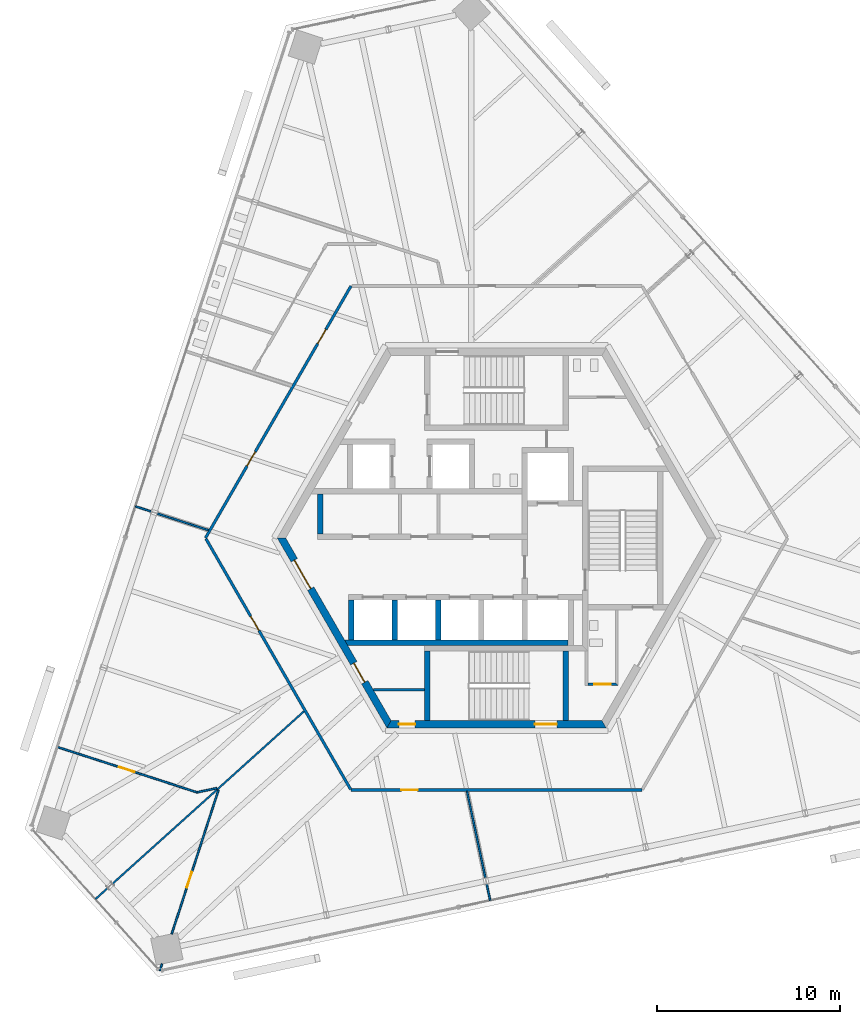
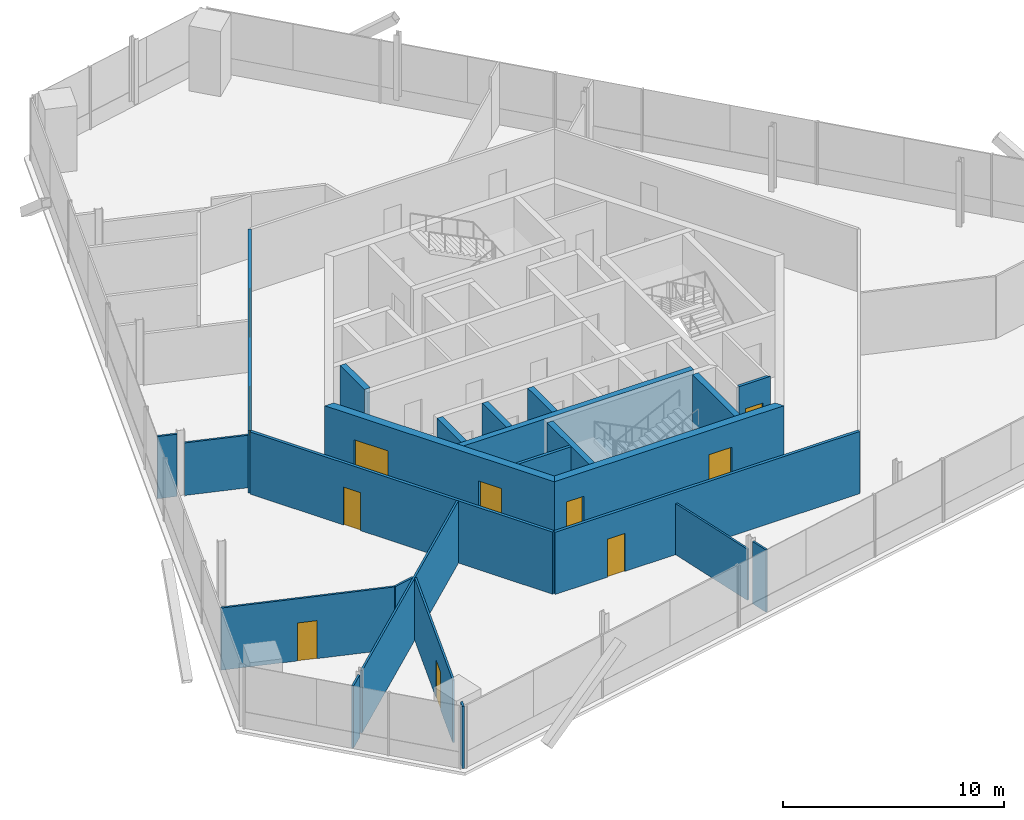
# One storey, part 9 of 14: 24 walls, 11 doors, 11 openings.
"""IFC4 building model written with IfcOpenShell, lengths in metres."""

from ifc_helpers import new_model, si_unit, direction, frame, frame_2d, origin, place, context, subcontext, project, spatial, polyline, rectangle, outline, extrude, source, transform, mapped, material, layer, layer_set, type_object, element, fill, save


model = new_model("IFC4")

# Units and contexts
model_context = context("Model", 3, precision=1e-05, world=origin(), true_north=direction((0.0, 1.0)))
body_context = subcontext(model_context, "Body", "Model", "MODEL_VIEW")
ifc_project = project(units=[si_unit("LENGTHUNIT", "METRE"), si_unit("AREAUNIT", "SQUARE_METRE"), si_unit("VOLUMEUNIT", "CUBIC_METRE"), si_unit("PLANEANGLEUNIT", "RADIAN"), si_unit("MASSUNIT", "GRAM", prefix="KILO")], contexts=[model_context])

# Site, building, storey
site_placement = place(None, origin())
site = spatial("IfcSite", under=ifc_project, at=site_placement, CompositionType="ELEMENT")
building_placement = place(site_placement, origin())
building = spatial("IfcBuilding", under=site, at=building_placement, Name="Triune Harvest Tower", CompositionType="ELEMENT")
storey_placement = place(building_placement, frame((0.0, 0.0, 263.10009765625)))
storey = spatial("IfcBuildingStorey", under=building, at=storey_placement, Name="L69", CompositionType="ELEMENT", Elevation=263.10009765625)

# Wall
ifc_material_1 = material(Name="Gypsum board on steel studs", Category="steel")
ifc_layer_1 = layer(ifc_material_1, 0.10009765625)
ifc_layer_set_1 = layer_set([ifc_layer_1], Name="Gypsum board on steel studs")
wall_type_1 = type_object("IfcWallType", Name="Partition 100 mm", PredefinedType="PARTITIONING", material=ifc_layer_set_1)
wall_1_placement = place(storey_placement, frame((-1.617431640625, -13.86083984375, 0.0), z_axis=(0.0, 0.0, 1.0), x_axis=(0.207896665906, -0.978150794257, 0.0)))
element("IfcWall", 1, at=wall_1_placement, inside=storey, type_object=wall_type_1, Name="Partition L69 001", PredefinedType="PARTITIONING", context=body_context, shape_type="SweptSolid", body=[
    extrude(rectangle(XDim=4.852294921875, YDim=0.10009765625, at=frame_2d((2.42626953125, 0.0))), origin(), (0.0, 0.0, 1.0), 2.82763671875),
])

# Wall, opening, door
wall_2_placement = place(storey_placement, frame((-24.03955078125, -11.433349609375, 0.0), z_axis=(0.0, 0.0, 1.0), x_axis=(0.951056592296, -0.309016760467, 0.0)))
wall_2 = element("IfcWall", 2, at=wall_2_placement, inside=storey, type_object=wall_type_1, Name="Partition L69 006", PredefinedType="PARTITIONING", context=body_context, shape_type="SweptSolid", body=[
    extrude(rectangle(XDim=8.04443359375, YDim=0.10009765625, at=frame_2d((4.022216796875, 0.0))), origin(), (0.0, 0.0, 1.0), 3.43994140625),
])
opening_1_placement = place(wall_2_placement, frame((3.550048828125, 0.0, 0.0)))
opening_1 = element("IfcOpeningElement", 3, at=opening_1_placement, cuts=wall_2, Name="Opening L69-010", PredefinedType="OPENING", context=body_context, shape_type="SweptSolid", body=[
    extrude(rectangle(XDim=0.89990234375, YDim=2.10009765625, at=frame_2d((0.449951171875, 1.050048828125))), frame((0.0, 0.06005859375, 0.0), z_axis=(0.0, -1.0, 0.0), x_axis=(1.0, 0.0, 0.0)), (0.0, 0.0, 1.0), 0.1201171875),
])
ifc_material_2 = material(Name="Timber and steel door set", Category="steel")
door_type_1 = type_object("IfcDoorType", Name="Single leaf door right hand 900 x 2100", OperationType="SINGLE_SWING_RIGHT", PredefinedType="DOOR", material=ifc_material_2)
door_1_placement = place(opening_1_placement, origin())
door_1 = element("IfcDoor", 4, at=door_1_placement, inside=storey, type_object=door_type_1, Name="Door L69-010 Reception 69.10", OperationType="SINGLE_SWING_RIGHT", OverallHeight=2.10009765625, OverallWidth=0.89990234375, PredefinedType="DOOR", context=body_context, shape_type="SweptSolid", body=[
    extrude(rectangle(XDim=0.89990234375, YDim=2.10009765625, at=frame_2d((0.449951171875, 1.050048828125))), frame((0.0, 0.02490234375, 0.0), z_axis=(0.0, -1.0, 0.0), x_axis=(1.0, 0.0, 0.0)), (0.0, 0.0, 1.0), 0.050048828125),
])
fill(opening_1, door_1)

# Wall
wall_3_placement = place(storey_placement, frame((-16.37890625, -13.917724609375, 0.0), z_axis=(0.0, 0.0, 1.0), x_axis=(0.978150346261, 0.207898773709, 0.0)))
element("IfcWall", 5, at=wall_3_placement, inside=storey, type_object=wall_type_1, Name="Partition L69 020", PredefinedType="PARTITIONING", context=body_context, shape_type="SweptSolid", body=[
    extrude(rectangle(XDim=1.094482421875, YDim=0.10009765625, at=frame_2d((0.54736328125, 0.0))), origin(), (0.0, 0.0, 1.0), 3.43994140625),
])

# Wall, openings, doors
ifc_material_3 = material(Name="Concrete 70 MPa", Category="concrete")
ifc_layer_2 = layer(ifc_material_3, 0.39990234375)
ifc_layer_set_2 = layer_set([ifc_layer_2], Name="Concrete 70 MPa")
wall_type_2 = type_object("IfcWallType", Name="Core wall 400", PredefinedType="SHEAR", material=ifc_layer_set_2)
shared_shape_1 = source(origin(), body_context, "Body", "SweptSolid", [
    extrude(outline(polyline([(-0.115478515625, -0.199951171875), (11.884521484375, -0.199951171875), (11.653564453125, 0.199951171875), (0.115478515625, 0.199951171875), (-0.115478515625, -0.199951171875)])), origin(), (0.0, 0.0, 1.0), 3.43994140625),
])
wall_4_placement = place(storey_placement, frame((-11.76904296875, 0.0, 0.0), z_axis=(0.0, 0.0, 1.0), x_axis=(0.499996592174, -0.866027371285, 0.0)))
wall_4 = element("IfcWall", 6, at=wall_4_placement, inside=storey, type_object=wall_type_2, Name="Hexagon 3 wall", PredefinedType="SHEAR", context=body_context, shape_type="MappedRepresentation", body=[
    mapped(shared_shape_1, transform((0.0, 0.0, 0.0), scale=1.0)),
])
opening_2_placement = place(wall_4_placement, frame((1.404541015625, 0.0, 0.0)))
opening_2 = element("IfcOpeningElement", 7, at=opening_2_placement, cuts=wall_4, Name="Opening CD-LS", PredefinedType="OPENING", context=body_context, shape_type="SweptSolid", body=[
    extrude(rectangle(XDim=1.800048828125, YDim=2.10009765625, at=frame_2d((0.89990234375, 1.050048828125))), frame((0.0, 0.2099609375, 0.0), z_axis=(0.0, -1.0, 0.0), x_axis=(1.0, 0.0, 0.0)), (0.0, 0.0, 1.0), 0.419921875),
])
opening_3_placement = place(wall_4_placement, frame((7.91455078125, 0.0, 0.0)))
opening_3 = element("IfcOpeningElement", 8, at=opening_3_placement, cuts=wall_4, Name="Opening CD-SWP", PredefinedType="OPENING", context=body_context, shape_type="SweptSolid", body=[
    extrude(rectangle(XDim=1.199951171875, YDim=2.10009765625, at=frame_2d((0.60009765625, 1.050048828125))), frame((0.0, 0.2099609375, 0.0), z_axis=(0.0, -1.0, 0.0), x_axis=(1.0, 0.0, 0.0)), (0.0, 0.0, 1.0), 0.419921875),
])
ifc_material_4 = material(Name="Steel S235", Category="steel")
door_type_2 = type_object("IfcDoorType", Name="Lobby door 1800 FD120", OperationType="DOUBLE_DOOR_DOUBLE_SWING", PredefinedType="DOOR", material=ifc_material_4)
door_2_placement = place(opening_2_placement, frame((1.800048828125, 0.0, 0.0), z_axis=(0.0, 0.0, 1.0), x_axis=(-1.0, 0.0, 0.0)))
door_2 = element("IfcDoor", 9, at=door_2_placement, inside=storey, type_object=door_type_2, Name="Door CD-LS", OperationType="DOUBLE_DOOR_DOUBLE_SWING", OverallHeight=2.10009765625, OverallWidth=1.800048828125, PredefinedType="DOOR", context=body_context, shape_type="SweptSolid", body=[
    extrude(rectangle(XDim=1.800048828125, YDim=2.10009765625, at=frame_2d((0.89990234375, 1.050048828125))), frame((0.0, 0.02490234375, 0.0), z_axis=(0.0, -1.0, 0.0), x_axis=(1.0, 0.0, 0.0)), (0.0, 0.0, 1.0), 0.050048828125),
])
fill(opening_2, door_2)
ifc_material_5 = material(Name="Steel S235", Category="steel")
door_type_3 = type_object("IfcDoorType", Name="Service door 1200 FD120", OperationType="SINGLE_SWING_LEFT", PredefinedType="DOOR", material=ifc_material_5)
door_3_placement = place(opening_3_placement, frame((1.199951171875, 0.0, 0.0), z_axis=(0.0, 0.0, 1.0), x_axis=(-1.0, 0.0, 0.0)))
door_3 = element("IfcDoor", 10, at=door_3_placement, inside=storey, type_object=door_type_3, Name="Door CD-SWP", OperationType="SINGLE_SWING_RIGHT", OverallHeight=2.10009765625, OverallWidth=1.199951171875, PredefinedType="DOOR", context=body_context, shape_type="SweptSolid", body=[
    extrude(rectangle(XDim=1.199951171875, YDim=2.10009765625, at=frame_2d((0.60009765625, 1.050048828125))), frame((0.0, 0.02490234375, 0.0), z_axis=(0.0, -1.0, 0.0), x_axis=(1.0, 0.0, 0.0)), (0.0, 0.0, 1.0), 0.050048828125),
])
fill(opening_3, door_3)

wall_5_placement = place(storey_placement, frame((-5.884521484375, -10.1923828125, 0.0), z_axis=(0.0, 0.0, 1.0), x_axis=(1.0, 0.0, 0.0)))
wall_5 = element("IfcWall", 11, at=wall_5_placement, inside=storey, type_object=wall_type_2, Name="Hexagon 4 wall", PredefinedType="SHEAR", context=body_context, shape_type="MappedRepresentation", body=[
    mapped(shared_shape_1, transform((0.0, 0.0, 0.0), scale=1.0)),
])
opening_4_placement = place(wall_5_placement, frame((7.984619140625, 0.0, 0.0)))
opening_4 = element("IfcOpeningElement", 12, at=opening_4_placement, cuts=wall_5, Name="Opening CD-S2P", PredefinedType="OPENING", context=body_context, shape_type="SweptSolid", body=[
    extrude(rectangle(XDim=1.199951171875, YDim=2.10009765625, at=frame_2d((0.60009765625, 1.050048828125))), frame((0.0, 0.2099609375, 0.0), z_axis=(0.0, -1.0, 0.0), x_axis=(1.0, 0.0, 0.0)), (0.0, 0.0, 1.0), 0.419921875),
])
opening_5_placement = place(wall_5_placement, frame((0.534423828125, 0.0, 0.0)))
opening_5 = element("IfcOpeningElement", 13, at=opening_5_placement, cuts=wall_5, Name="Opening CD-SWS", PredefinedType="OPENING", context=body_context, shape_type="SweptSolid", body=[
    extrude(rectangle(XDim=0.89990234375, YDim=2.10009765625, at=frame_2d((0.449951171875, 1.050048828125))), frame((0.0, 0.2099609375, 0.0), z_axis=(0.0, -1.0, 0.0), x_axis=(1.0, 0.0, 0.0)), (0.0, 0.0, 1.0), 0.419921875),
])
ifc_material_6 = material(Name="Steel S235", Category="steel")
door_type_4 = type_object("IfcDoorType", Name="Riser door 900 FD120", OperationType="SINGLE_SWING_LEFT", PredefinedType="DOOR", material=ifc_material_6)
door_4_placement = place(opening_5_placement, frame((0.89990234375, 0.0, 0.0), z_axis=(0.0, 0.0, 1.0), x_axis=(-1.0, 0.0, 0.0)))
door_4 = element("IfcDoor", 14, at=door_4_placement, inside=storey, type_object=door_type_4, Name="Door CD-SWS", OperationType="SINGLE_SWING_RIGHT", OverallHeight=2.10009765625, OverallWidth=0.89990234375, PredefinedType="DOOR", context=body_context, shape_type="SweptSolid", body=[
    extrude(rectangle(XDim=0.89990234375, YDim=2.10009765625, at=frame_2d((0.449951171875, 1.050048828125))), frame((0.0, 0.02490234375, 0.0), z_axis=(0.0, -1.0, 0.0), x_axis=(1.0, 0.0, 0.0)), (0.0, 0.0, 1.0), 0.050048828125),
])
fill(opening_5, door_4)
ifc_material_7 = material(Name="Steel S235", Category="steel")
door_type_5 = type_object("IfcDoorType", Name="Stair door 1200 FD120", OperationType="SINGLE_SWING_LEFT", PredefinedType="DOOR", material=ifc_material_7)
door_5_placement = place(opening_4_placement, frame((1.199951171875, 0.0, 0.0), z_axis=(0.0, 0.0, 1.0), x_axis=(-1.0, 0.0, 0.0)))
door_5 = element("IfcDoor", 15, at=door_5_placement, inside=storey, type_object=door_type_5, Name="Door CD-S2P", OperationType="SINGLE_SWING_RIGHT", OverallHeight=2.10009765625, OverallWidth=1.199951171875, PredefinedType="DOOR", context=body_context, shape_type="SweptSolid", body=[
    extrude(rectangle(XDim=1.199951171875, YDim=2.10009765625, at=frame_2d((0.60009765625, 1.050048828125))), frame((0.0, 0.02490234375, 0.0), z_axis=(0.0, -1.0, 0.0), x_axis=(1.0, 0.0, 0.0)), (0.0, 0.0, 1.0), 0.050048828125),
])
fill(opening_4, door_5)

# Walls
ifc_material_8 = material(Name="Concrete 70 MPa", Category="concrete")
ifc_layer_3 = layer(ifc_material_8, 0.300048828125)
ifc_layer_set_3 = layer_set([ifc_layer_3], Name="Concrete 70 MPa")
wall_type_3 = type_object("IfcWallType", Name="Core wall 300", PredefinedType="SHEAR", material=ifc_layer_set_3)
shared_shape_2 = source(origin(), body_context, "Body", "SweptSolid", [
    extrude(outline(polyline([(12.0, -0.14990234375), (-0.039794921875, -0.14990234375), (-0.212890625, 0.14990234375), (12.0, 0.14990234375), (12.0, -0.14990234375)])), origin(), (0.0, 0.0, 1.0), 3.43994140625),
])
wall_6_placement = place(storey_placement, frame((-8.10009765625, -5.739990234375, 0.0), z_axis=(0.0, 0.0, 1.0), x_axis=(1.0, 0.0, 0.0)))
element("IfcWall", 16, at=wall_6_placement, inside=storey, type_object=wall_type_3, Name="South back wall", PredefinedType="SHEAR", context=body_context, shape_type="MappedRepresentation", body=[
    mapped(shared_shape_2, transform((0.0, 0.0, 0.0), scale=1.0)),
])
shared_shape_3 = source(origin(), body_context, "Body", "SweptSolid", [
    extrude(rectangle(XDim=2.2001953125, YDim=0.300048828125, at=frame_2d((1.10009765625, 0.0))), origin(), (0.0, 0.0, 1.0), 3.43994140625),
])
for number, where, z_axis, x_axis, name in (
    (17, (-7.949951171875, -5.590087890625, 0.0), (0.0, 0.0, 1.0), (0.0, 1.0, 0.0), "South end west wall"),
    (18, (-5.574951171875, -5.590087890625, 0.0), (0.0, 0.0, 1.0), (0.0, 1.0, 0.0), "South cross 1 wall"),
    (19, (-3.199951171875, -5.590087890625, 0.0), (0.0, 0.0, 1.0), (0.0, 1.0, 0.0), "South cross 2 wall"),
):
    element("IfcWall", number, at=place(storey_placement, frame(where, z_axis=z_axis, x_axis=x_axis)), inside=storey, type_object=wall_type_3, Name=name, PredefinedType="SHEAR", context=body_context, shape_type="MappedRepresentation", body=[
        mapped(shared_shape_3, transform((0.0, 0.0, 0.0), scale=1.0)),
    ])
shared_shape_4 = source(origin(), body_context, "Body", "SweptSolid", [
    extrude(rectangle(XDim=2.199951171875, YDim=0.300048828125, at=frame_2d((1.10009765625, 0.0))), origin(), (0.0, 0.0, 1.0), 3.43994140625),
])
wall_7_placement = place(storey_placement, frame((-9.64990234375, 0.2099609375, 0.0), z_axis=(0.0, 0.0, 1.0), x_axis=(0.0, 1.0, 0.0)))
element("IfcWall", 20, at=wall_7_placement, inside=storey, type_object=wall_type_3, Name="North end west wall", PredefinedType="SHEAR", context=body_context, shape_type="MappedRepresentation", body=[
    mapped(shared_shape_4, transform((0.0, 0.0, 0.0), scale=1.0)),
])
shared_shape_5 = source(origin(), body_context, "Body", "SweptSolid", [
    extrude(outline(polyline([(3.800048828125, -0.14990234375), (-0.00439453125, -0.14990234375), (-0.00439453125, 0.14990234375), (3.800048828125, 0.14990234375), (3.800048828125, -0.14990234375)])), origin(), (0.0, 0.0, 1.0), 3.43994140625),
])
for number, where, z_axis, x_axis, name in (
    (21, (-3.800048828125, -9.989990234375, 0.0), (0.0, 0.0, 1.0), (0.0, 1.0, 0.0), "Stair s west wall"),
    (22, (3.800048828125, -9.989990234375, 0.0), (0.0, 0.0, 1.0), (0.0, 1.0, 0.0), "Stair s east wall"),
):
    element("IfcWall", number, at=place(storey_placement, frame(where, z_axis=z_axis, x_axis=x_axis)), inside=storey, type_object=wall_type_3, Name=name, PredefinedType="SHEAR", context=body_context, shape_type="MappedRepresentation", body=[
        mapped(shared_shape_5, transform((0.0, 0.0, 0.0), scale=1.0)),
    ])

# Wall, opening, door
ifc_material_9 = material(Name="Concrete masonry unit", Category="masonry")
ifc_layer_4 = layer(ifc_material_9, 0.14990234375)
ifc_layer_set_4 = layer_set([ifc_layer_4], Name="Concrete masonry unit")
wall_type_4 = type_object("IfcWallType", Name="Block partition 150 unrated", PredefinedType="PARTITIONING", material=ifc_layer_set_4)
shared_shape_6 = source(origin(), body_context, "Body", "SweptSolid", [
    extrude(outline(polyline([(0.0, -0.074951171875), (1.64990234375, -0.074951171875), (1.5, 0.074951171875), (0.0, 0.074951171875), (0.0, -0.074951171875)])), origin(), (0.0, 0.0, 1.0), 3.43994140625),
])
wall_8_placement = place(storey_placement, frame((5.0, -8.0, 0.0), z_axis=(0.0, 0.0, 1.0), x_axis=(1.0, 0.0, 0.0)))
wall_8 = element("IfcWall", 23, at=wall_8_placement, inside=storey, type_object=wall_type_4, Name="Wc acc south wall", PredefinedType="PARTITIONING", context=body_context, shape_type="MappedRepresentation", body=[
    mapped(shared_shape_6, transform((0.0, 0.0, 0.0), scale=1.0)),
])
opening_6_placement = place(wall_8_placement, frame((0.33740234375, 0.0, 0.0)))
opening_6 = element("IfcOpeningElement", 24, at=opening_6_placement, cuts=wall_8, Name="Opening CD-WA", PredefinedType="OPENING", context=body_context, shape_type="SweptSolid", body=[
    extrude(rectangle(XDim=0.89990234375, YDim=2.10009765625, at=frame_2d((0.449951171875, 1.050048828125))), frame((0.0, 0.0849609375, 0.0), z_axis=(0.0, -1.0, 0.0), x_axis=(1.0, 0.0, 0.0)), (0.0, 0.0, 1.0), 0.169921875),
])
ifc_material_10 = material(Name="Timber C24", Category="wood")
door_type_6 = type_object("IfcDoorType", Name="WC door 900", OperationType="SINGLE_SWING_LEFT", PredefinedType="DOOR", material=ifc_material_10)
door_6_placement = place(opening_6_placement, origin())
door_6 = element("IfcDoor", 25, at=door_6_placement, inside=storey, type_object=door_type_6, Name="Door CD-WA", OperationType="SINGLE_SWING_LEFT", OverallHeight=2.10009765625, OverallWidth=0.89990234375, PredefinedType="DOOR", context=body_context, shape_type="SweptSolid", body=[
    extrude(rectangle(XDim=0.89990234375, YDim=2.10009765625, at=frame_2d((0.449951171875, 1.050048828125))), frame((0.0, 0.02490234375, 0.0), z_axis=(0.0, -1.0, 0.0), x_axis=(1.0, 0.0, 0.0)), (0.0, 0.0, 1.0), 0.050048828125),
])
fill(opening_6, door_6)

# Walls
ifc_material_11 = material(Name="Concrete masonry unit", Category="masonry")
ifc_layer_5 = layer(ifc_material_11, 0.14990234375)
ifc_layer_set_5 = layer_set([ifc_layer_5], Name="Concrete masonry unit")
wall_type_5 = type_object("IfcWallType", Name="Block partition 150", PredefinedType="PARTITIONING", material=ifc_layer_set_5)
shared_shape_7 = source(origin(), body_context, "Body", "SweptSolid", [
    extrude(rectangle(XDim=2.777099609375, YDim=0.14990234375, at=frame_2d((1.388671875, 0.0))), origin(), (0.0, 0.0, 1.0), 3.43994140625),
])
wall_9_placement = place(storey_placement, frame((-6.72705078125, -8.300048828125, 0.0), z_axis=(0.0, 0.0, 1.0), x_axis=(1.0, 0.0, 0.0)))
element("IfcWall", 26, at=wall_9_placement, inside=storey, type_object=wall_type_5, Name="Sw part wall", PredefinedType="PARTITIONING", context=body_context, shape_type="MappedRepresentation", body=[
    mapped(shared_shape_7, transform((0.0, 0.0, 0.0), scale=1.0)),
])
shared_shape_8 = source(origin(), body_context, "Body", "SweptSolid", [
    extrude(rectangle(XDim=0.91552734375, YDim=0.10009765625, at=frame_2d((0.457763671875, 0.0))), origin(), (0.0, 0.0, 1.0), 3.43994140625),
])
wall_10_placement = place(storey_placement, frame((-0.537841796875, -18.940185546875, 0.0), z_axis=(0.0, 0.0, 1.0), x_axis=(0.207743933161, -0.978183243689, 0.0)))
element("IfcWall", 27, at=wall_10_placement, inside=storey, type_object=wall_type_1, Name="Partition L69 002", PredefinedType="PARTITIONING", context=body_context, shape_type="MappedRepresentation", body=[
    mapped(shared_shape_8, transform((0.0, 0.0, 0.0), scale=1.0)),
])

# Wall, opening, door
ifc_material_12 = material(Name="Gypsum board on steel studs", Category="steel")
ifc_layer_6 = layer(ifc_material_12, 0.14990234375)
ifc_layer_set_6 = layer_set([ifc_layer_6], Name="Gypsum board on steel studs")
wall_type_6 = type_object("IfcWallType", Name="Fire Partition 150 mm", PredefinedType="PARTITIONING", material=ifc_layer_set_6)
shared_shape_9 = source(origin(), body_context, "Body", "SweptSolid", [
    extrude(rectangle(XDim=15.836181640625, YDim=0.14990234375, at=frame_2d((7.91796875, 0.0))), origin(), (0.0, 0.0, 1.0), 3.43994140625),
])
wall_11_placement = place(storey_placement, frame((-15.90087890625, -0.043212890625, 0.0), z_axis=(0.0, 0.0, 1.0), x_axis=(0.499992468509, -0.866029752049, 0.0)))
wall_11 = element("IfcWall", 28, at=wall_11_placement, inside=storey, type_object=wall_type_6, Name="Partition L69 004", PredefinedType="PARTITIONING", context=body_context, shape_type="MappedRepresentation", body=[
    mapped(shared_shape_9, transform((0.0, 0.0, 0.0), scale=1.0)),
])
opening_7_placement = place(wall_11_placement, frame((4.89990234375, 0.0, 0.0)))
opening_7 = element("IfcOpeningElement", 29, at=opening_7_placement, cuts=wall_11, Name="Opening L69-009", PredefinedType="OPENING", context=body_context, shape_type="SweptSolid", body=[
    extrude(rectangle(XDim=0.89990234375, YDim=2.10009765625, at=frame_2d((0.449951171875, 1.050048828125))), frame((0.0, 0.0849609375, 0.0), z_axis=(0.0, -1.0, 0.0), x_axis=(1.0, 0.0, 0.0)), (0.0, 0.0, 1.0), 0.169921875),
])
ifc_material_13 = material(Name="Timber and steel door set", Category="steel")
door_type_7 = type_object("IfcDoorType", Name="Single leaf door FD30 right hand 900 x 2100", OperationType="SINGLE_SWING_RIGHT", PredefinedType="DOOR", material=ifc_material_13)
door_7_placement = place(opening_7_placement, origin())
door_7 = element("IfcDoor", 30, at=door_7_placement, inside=storey, type_object=door_type_7, Name="Door L69-009 Office 69.09", OperationType="SINGLE_SWING_RIGHT", OverallHeight=2.10009765625, OverallWidth=0.89990234375, PredefinedType="DOOR", context=body_context, shape_type="SweptSolid", body=[
    extrude(rectangle(XDim=0.89990234375, YDim=2.10009765625, at=frame_2d((0.449951171875, 1.050048828125))), frame((0.0, 0.02490234375, 0.0), z_axis=(0.0, -1.0, 0.0), x_axis=(1.0, 0.0, 0.0)), (0.0, 0.0, 1.0), 0.050048828125),
])
fill(opening_7, door_7)

# Wall
shared_shape_10 = source(origin(), body_context, "Body", "SweptSolid", [
    extrude(rectangle(XDim=0.9150390625, YDim=0.10009765625, at=frame_2d((0.45751953125, 0.0))), origin(), (0.0, 0.0, 1.0), 3.43994140625),
])
wall_12_placement = place(storey_placement, frame((-19.76318359375, 1.727783203125, 0.0), z_axis=(0.0, 0.0, 1.0), x_axis=(0.95108307013, -0.308935258124, 0.0)))
element("IfcWall", 31, at=wall_12_placement, inside=storey, type_object=wall_type_1, Name="Partition L69 007", PredefinedType="PARTITIONING", context=body_context, shape_type="MappedRepresentation", body=[
    mapped(shared_shape_10, transform((0.0, 0.0, 0.0), scale=1.0)),
])

# Wall, opening, door
shared_shape_11 = source(origin(), body_context, "Body", "SweptSolid", [
    extrude(rectangle(XDim=15.92578125, YDim=0.14990234375, at=frame_2d((7.962890625, 0.0))), origin(), (0.0, 0.0, 1.0), 3.43994140625),
])
wall_13_placement = place(storey_placement, frame((-7.962890625, -13.792236328125, 0.0), z_axis=(0.0, 0.0, 1.0), x_axis=(1.0, 0.0, 0.0)))
wall_13 = element("IfcWall", 32, at=wall_13_placement, inside=storey, type_object=wall_type_6, Name="Partition L69 017", PredefinedType="PARTITIONING", context=body_context, shape_type="MappedRepresentation", body=[
    mapped(shared_shape_11, transform((0.0, 0.0, 0.0), scale=1.0)),
])
opening_8_placement = place(wall_13_placement, frame((2.75, 0.0, 0.0)))
opening_8 = element("IfcOpeningElement", 33, at=opening_8_placement, cuts=wall_13, Name="Opening L69-012", PredefinedType="OPENING", context=body_context, shape_type="SweptSolid", body=[
    extrude(rectangle(XDim=0.89990234375, YDim=2.10009765625, at=frame_2d((0.449951171875, 1.050048828125))), frame((0.0, 0.0849609375, 0.0), z_axis=(0.0, -1.0, 0.0), x_axis=(1.0, 0.0, 0.0)), (0.0, 0.0, 1.0), 0.169921875),
])
door_8_placement = place(opening_8_placement, origin())
door_8 = element("IfcDoor", 34, at=door_8_placement, inside=storey, type_object=door_type_7, Name="Door L69-012 Pantry 69.12", OperationType="SINGLE_SWING_RIGHT", OverallHeight=2.10009765625, OverallWidth=0.89990234375, PredefinedType="DOOR", context=body_context, shape_type="SweptSolid", body=[
    extrude(rectangle(XDim=0.89990234375, YDim=2.10009765625, at=frame_2d((0.449951171875, 1.050048828125))), frame((0.0, 0.02490234375, 0.0), z_axis=(0.0, -1.0, 0.0), x_axis=(1.0, 0.0, 0.0)), (0.0, 0.0, 1.0), 0.050048828125),
])
fill(opening_8, door_8)

# Walls
shared_shape_12 = source(origin(), body_context, "Body", "SweptSolid", [
    extrude(rectangle(XDim=0.915283203125, YDim=0.10009765625, at=frame_2d((0.45751953125, 0.0))), origin(), (0.0, 0.0, 1.0), 3.43994140625),
])
wall_14_placement = place(storey_placement, frame((-21.950927734375, -19.76416015625, 0.0), z_axis=(0.0, 0.0, 1.0), x_axis=(0.743081911728, 0.669200472551, 0.0)))
element("IfcWall", 35, at=wall_14_placement, inside=storey, type_object=wall_type_1, Name="Partition L69 022", PredefinedType="PARTITIONING", context=body_context, shape_type="MappedRepresentation", body=[
    mapped(shared_shape_12, transform((0.0, 0.0, 0.0), scale=1.0)),
])
shared_shape_13 = source(origin(), body_context, "Body", "SweptSolid", [
    extrude(rectangle(XDim=14.111328125, YDim=0.10009765625, at=frame_2d((7.0556640625, 0.0))), origin(), (0.0, 0.0, 1.0), 3.43994140625),
])
wall_15_placement = place(storey_placement, frame((-21.017578125, -18.923583984375, 0.0), z_axis=(0.0, 0.0, 1.0), x_axis=(0.743169393242, 0.669103320085, 0.0)))
element("IfcWall", 36, at=wall_15_placement, inside=storey, type_object=wall_type_1, Name="Partition L69 023", PredefinedType="PARTITIONING", context=body_context, shape_type="MappedRepresentation", body=[
    mapped(shared_shape_13, transform((0.0, 0.0, 0.0), scale=1.0)),
])

# Wall, openings, doors
shared_shape_14 = source(origin(), body_context, "Body", "SweptSolid", [
    extrude(rectangle(XDim=15.92626953125, YDim=0.14990234375, at=frame_2d((7.963134765625, 0.0))), origin(), (0.0, 0.0, 1.0), 3.43994140625),
])
wall_16_placement = place(storey_placement, frame((-15.92626953125, -0.000244140625, 0.0), z_axis=(0.0, 0.0, 1.0), x_axis=(0.500013496215, 0.866017611601, 0.0)))
wall_16 = element("IfcWall", 37, at=wall_16_placement, inside=storey, type_object=wall_type_6, Name="Partition L69 028", PredefinedType="PARTITIONING", context=body_context, shape_type="MappedRepresentation", body=[
    mapped(shared_shape_14, transform((0.0, 0.0, 0.0), scale=1.0)),
])
opening_9_placement = place(wall_16_placement, frame((12.2763671875, 0.0, 0.0)))
opening_9 = element("IfcOpeningElement", 38, at=opening_9_placement, cuts=wall_16, Name="Opening L69-004", PredefinedType="OPENING", context=body_context, shape_type="SweptSolid", body=[
    extrude(rectangle(XDim=0.89990234375, YDim=2.10009765625, at=frame_2d((0.449951171875, 1.050048828125))), frame((0.0, 0.0849609375, 0.0), z_axis=(0.0, -1.0, 0.0), x_axis=(1.0, 0.0, 0.0)), (0.0, 0.0, 1.0), 0.169921875),
])
opening_10_placement = place(wall_16_placement, frame((4.54541015625, 0.0, 0.0)))
opening_10 = element("IfcOpeningElement", 39, at=opening_10_placement, cuts=wall_16, Name="Opening L69-008", PredefinedType="OPENING", context=body_context, shape_type="SweptSolid", body=[
    extrude(rectangle(XDim=0.89990234375, YDim=2.10009765625, at=frame_2d((0.449951171875, 1.050048828125))), frame((0.0, 0.0849609375, 0.0), z_axis=(0.0, -1.0, 0.0), x_axis=(1.0, 0.0, 0.0)), (0.0, 0.0, 1.0), 0.169921875),
])
ifc_material_14 = material(Name="Timber and steel door set", Category="steel")
door_type_8 = type_object("IfcDoorType", Name="Single leaf door FD30 left hand 900 x 2100", OperationType="SINGLE_SWING_LEFT", PredefinedType="DOOR", material=ifc_material_14)
door_9_placement = place(opening_10_placement, origin())
door_9 = element("IfcDoor", 40, at=door_9_placement, inside=storey, type_object=door_type_8, Name="Door L69-008 Office 69.08", OperationType="SINGLE_SWING_LEFT", OverallHeight=2.10009765625, OverallWidth=0.89990234375, PredefinedType="DOOR", context=body_context, shape_type="SweptSolid", body=[
    extrude(rectangle(XDim=0.89990234375, YDim=2.10009765625, at=frame_2d((0.449951171875, 1.050048828125))), frame((0.0, 0.02490234375, 0.0), z_axis=(0.0, -1.0, 0.0), x_axis=(1.0, 0.0, 0.0)), (0.0, 0.0, 1.0), 0.050048828125),
])
fill(opening_10, door_9)
door_10_placement = place(opening_9_placement, origin())
door_10 = element("IfcDoor", 41, at=door_10_placement, inside=storey, type_object=door_type_7, Name="Door L69-004 WC lobby 69.04", OperationType="SINGLE_SWING_RIGHT", OverallHeight=2.10009765625, OverallWidth=0.89990234375, PredefinedType="DOOR", context=body_context, shape_type="SweptSolid", body=[
    extrude(rectangle(XDim=0.89990234375, YDim=2.10009765625, at=frame_2d((0.449951171875, 1.050048828125))), frame((0.0, 0.02490234375, 0.0), z_axis=(0.0, -1.0, 0.0), x_axis=(1.0, 0.0, 0.0)), (0.0, 0.0, 1.0), 0.050048828125),
])
fill(opening_9, door_10)

# Wall
shared_shape_15 = source(origin(), body_context, "Body", "SweptSolid", [
    extrude(rectangle(XDim=0.399169921875, YDim=0.10009765625, at=frame_2d((0.19970703125, 0.0))), origin(), (0.0, 0.0, 1.0), 3.43994140625),
])
wall_17_placement = place(storey_placement, frame((-18.426513671875, -23.678466796875, 0.0), z_axis=(0.0, 0.0, 1.0), x_axis=(0.308878611909, 0.951101468354, 0.0)))
element("IfcWall", 42, at=wall_17_placement, inside=storey, type_object=wall_type_1, Name="Partition L69 030", PredefinedType="PARTITIONING", context=body_context, shape_type="MappedRepresentation", body=[
    mapped(shared_shape_15, transform((0.0, 0.0, 0.0), scale=1.0)),
])

# Wall, opening, door
shared_shape_16 = source(origin(), body_context, "Body", "SweptSolid", [
    extrude(rectangle(XDim=8.28564453125, YDim=0.10009765625, at=frame_2d((4.142822265625, 0.0))), origin(), (0.0, 0.0, 1.0), 3.43994140625),
])
wall_18_placement = place(storey_placement, frame((-17.775146484375, -21.673583984375, 0.0), z_axis=(0.0, 0.0, 1.0), x_axis=(0.309032104862, 0.951051606468, 0.0)))
wall_18 = element("IfcWall", 43, at=wall_18_placement, inside=storey, type_object=wall_type_1, Name="Partition L69 031", PredefinedType="PARTITIONING", context=body_context, shape_type="MappedRepresentation", body=[
    mapped(shared_shape_16, transform((0.0, 0.0, 0.0), scale=1.0)),
])
opening_11_placement = place(wall_18_placement, frame((2.675537109375, 0.0, 0.0)))
opening_11 = element("IfcOpeningElement", 44, at=opening_11_placement, cuts=wall_18, Name="Opening L69-011", PredefinedType="OPENING", context=body_context, shape_type="SweptSolid", body=[
    extrude(rectangle(XDim=0.89990234375, YDim=2.10009765625, at=frame_2d((0.449951171875, 1.050048828125))), frame((0.0, 0.06005859375, 0.0), z_axis=(0.0, -1.0, 0.0), x_axis=(1.0, 0.0, 0.0)), (0.0, 0.0, 1.0), 0.1201171875),
])
ifc_material_15 = material(Name="Timber and steel door set", Category="steel")
door_type_9 = type_object("IfcDoorType", Name="Single leaf door left hand 900 x 2100", OperationType="SINGLE_SWING_LEFT", PredefinedType="DOOR", material=ifc_material_15)
door_11_placement = place(opening_11_placement, origin())
door_11 = element("IfcDoor", 45, at=door_11_placement, inside=storey, type_object=door_type_9, Name="Door L69-011 Board Room 69.11", OperationType="SINGLE_SWING_LEFT", OverallHeight=2.10009765625, OverallWidth=0.89990234375, PredefinedType="DOOR", context=body_context, shape_type="SweptSolid", body=[
    extrude(rectangle(XDim=0.89990234375, YDim=2.10009765625, at=frame_2d((0.449951171875, 1.050048828125))), frame((0.0, 0.02490234375, 0.0), z_axis=(0.0, -1.0, 0.0), x_axis=(1.0, 0.0, 0.0)), (0.0, 0.0, 1.0), 0.050048828125),
])
fill(opening_11, door_11)

# Wall
shared_shape_17 = source(origin(), body_context, "Body", "SweptSolid", [
    extrude(rectangle(XDim=2.95458984375, YDim=0.10009765625, at=frame_2d((1.477294921875, 0.0))), origin(), (0.0, 0.0, 1.0), 2.90380859375),
])
wall_19_placement = place(storey_placement, frame((-18.56884765625, 1.339599609375, 0.0), z_axis=(0.0, 0.0, 1.0), x_axis=(0.951052283617, -0.309030020915, 0.0)))
element("IfcWall", 46, at=wall_19_placement, inside=storey, type_object=wall_type_1, Name="Partition L69 008", PredefinedType="PARTITIONING", context=body_context, shape_type="MappedRepresentation", body=[
    mapped(shared_shape_17, transform((0.0, 0.0, 0.0), scale=1.0)),
])

save(model, "model.ifc")
